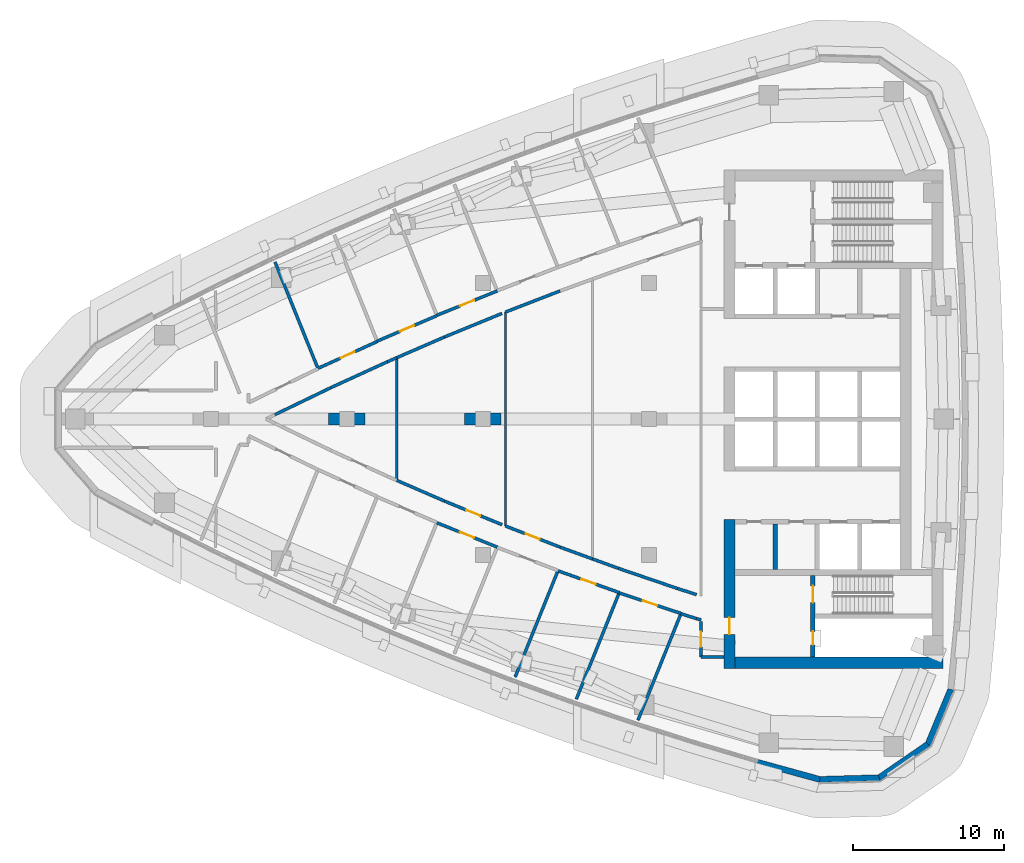
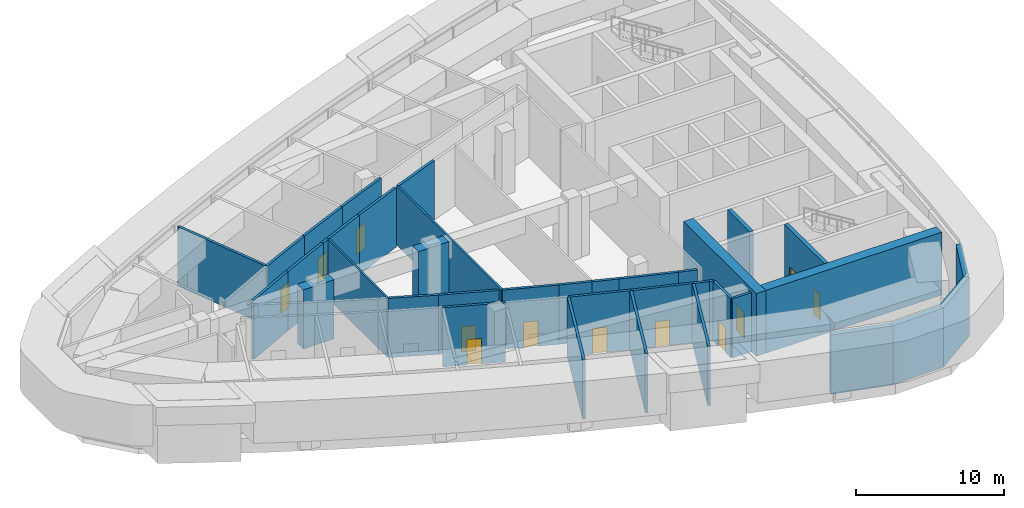
# One storey, part 10 of 17: 39 walls, 12 doors, 12 openings.
"""IFC4 building model written with IfcOpenShell, lengths in metres."""

from ifc_helpers import new_model, si_unit, direction, frame, frame_2d, origin, place, context, subcontext, project, spatial, polyline, rectangle, outline, extrude, material, layer, layer_set, type_object, element, fill, save


model = new_model("IFC4")

# Units and contexts
model_context = context("Model", 3, precision=1e-05, world=origin(), true_north=direction((0.0, 1.0)))
body_context = subcontext(model_context, "Body", "Model", "MODEL_VIEW")
ifc_project = project(units=[si_unit("LENGTHUNIT", "METRE"), si_unit("AREAUNIT", "SQUARE_METRE"), si_unit("VOLUMEUNIT", "CUBIC_METRE"), si_unit("PLANEANGLEUNIT", "RADIAN"), si_unit("MASSUNIT", "GRAM", prefix="KILO")], contexts=[model_context])

# Site, building, storey
site_placement = place(None, origin())
site = spatial("IfcSite", under=ifc_project, at=site_placement, CompositionType="ELEMENT")
building_placement = place(site_placement, origin())
building = spatial("IfcBuilding", under=site, at=building_placement, Name="Ostrand Prow Hotel Tower", CompositionType="ELEMENT")
storey_placement = place(building_placement, frame((0.0, 0.0, 211.0)))
storey = spatial("IfcBuildingStorey", under=building, at=storey_placement, Name="L53", CompositionType="ELEMENT", Elevation=211.0)

# Wall
ifc_material_1 = material(Name="Concrete C60/75", Category="concrete")
ifc_layer_1 = layer(ifc_material_1, 0.300048828125)
ifc_layer_set_1 = layer_set([ifc_layer_1], Name="Concrete C60/75")
wall_type_1 = type_object("IfcWallType", Name="Core wall 300 C60/75", PredefinedType="SHEAR", material=ifc_layer_set_1)
wall_1_placement = place(storey_placement, frame((53.35009765625, -9.949951171875, 0.0), z_axis=(0.0, 0.0, 1.0), x_axis=(0.0, 1.0, 0.0)))
element("IfcWall", 1, at=wall_1_placement, inside=storey, type_object=wall_type_1, Name="Core wall PW-R1-SA", PredefinedType="SHEAR", context=body_context, shape_type="SweptSolid", body=[
    extrude(rectangle(XDim=3.0, YDim=0.300048828125, at=frame_2d((1.5, 0.0))), origin(), (0.0, 0.0, 1.0), 5.199951171875),
])

# Wall, openings, doors
wall_2_placement = place(storey_placement, frame((55.85009765625, -15.75, 0.0), z_axis=(0.0, 0.0, 1.0), x_axis=(0.0, 1.0, 0.0)))
wall_2 = element("IfcWall", 2, at=wall_2_placement, inside=storey, type_object=wall_type_1, Name="Core wall PW-VS", PredefinedType="SHEAR", context=body_context, shape_type="SweptSolid", body=[
    extrude(rectangle(XDim=5.39990234375, YDim=0.300048828125, at=frame_2d((2.699951171875, 0.0))), origin(), (0.0, 0.0, 1.0), 5.199951171875),
])
opening_1_placement = place(wall_2_placement, frame((3.60009765625, 0.0, 0.0)))
opening_1 = element("IfcOpeningElement", 3, at=opening_1_placement, cuts=wall_2, Name="Opening FD1", PredefinedType="OPENING", context=body_context, shape_type="SweptSolid", body=[
    extrude(rectangle(XDim=1.10009765625, YDim=2.10009765625, at=frame_2d((0.550048828125, 1.050048828125))), frame((0.0, 0.159912109375, 0.0), z_axis=(0.0, -1.0, 0.0), x_axis=(1.0, 0.0, 0.0)), (0.0, 0.0, 1.0), 0.320068359375),
])
opening_2_placement = place(wall_2_placement, frame((0.800048828125, 0.0, 0.0)))
opening_2 = element("IfcOpeningElement", 4, at=opening_2_placement, cuts=wall_2, Name="Opening FD2", PredefinedType="OPENING", context=body_context, shape_type="SweptSolid", body=[
    extrude(rectangle(XDim=0.89990234375, YDim=2.10009765625, at=frame_2d((0.449951171875, 1.050048828125))), frame((0.0, 0.159912109375, 0.0), z_axis=(0.0, -1.0, 0.0), x_axis=(1.0, 0.0, 0.0)), (0.0, 0.0, 1.0), 0.320068359375),
])
ifc_material_2 = material(Name="Steel fire door", Category="steel")
door_type_1 = type_object("IfcDoorType", Name="Fire door 1100 EI120", OperationType="SINGLE_SWING_RIGHT", PredefinedType="DOOR", material=ifc_material_2)
door_1_placement = place(opening_1_placement, origin())
door_1 = element("IfcDoor", 5, at=door_1_placement, inside=storey, type_object=door_type_1, Name="FIRE DOOR", OperationType="SINGLE_SWING_RIGHT", OverallHeight=2.10009765625, OverallWidth=1.10009765625, PredefinedType="DOOR", context=body_context, shape_type="SweptSolid", body=[
    extrude(rectangle(XDim=1.10009765625, YDim=2.10009765625, at=frame_2d((0.550048828125, 1.050048828125))), frame((0.0, 0.02490234375, 0.0), z_axis=(0.0, -1.0, 0.0), x_axis=(1.0, 0.0, 0.0)), (0.0, 0.0, 1.0), 0.050048828125),
])
fill(opening_1, door_1)
ifc_material_3 = material(Name="Steel fire door", Category="steel")
door_type_2 = type_object("IfcDoorType", Name="Fire door 900 EI120", OperationType="SINGLE_SWING_LEFT", PredefinedType="DOOR", material=ifc_material_3)
door_2_placement = place(opening_2_placement, origin())
door_2 = element("IfcDoor", 6, at=door_2_placement, inside=storey, type_object=door_type_2, Name="FIRE DOOR", OperationType="SINGLE_SWING_LEFT", OverallHeight=2.10009765625, OverallWidth=0.89990234375, PredefinedType="DOOR", context=body_context, shape_type="SweptSolid", body=[
    extrude(rectangle(XDim=0.89990234375, YDim=2.10009765625, at=frame_2d((0.449951171875, 1.050048828125))), frame((0.0, 0.02490234375, 0.0), z_axis=(0.0, -1.0, 0.0), x_axis=(1.0, 0.0, 0.0)), (0.0, 0.0, 1.0), 0.050048828125),
])
fill(opening_2, door_2)

# Wall, opening, door
ifc_material_4 = material(Name="Concrete C60/75", Category="concrete")
ifc_layer_2 = layer(ifc_material_4, 0.75)
ifc_layer_set_2 = layer_set([ifc_layer_2], Name="Concrete C60/75")
wall_type_2 = type_object("IfcWallType", Name="Core wall 750 C60/75", PredefinedType="SHEAR", material=ifc_layer_set_2)
wall_3_placement = place(storey_placement, frame((50.324951171875, -16.5, 0.0), z_axis=(0.0, 0.0, 1.0), x_axis=(0.0, 1.0, 0.0)))
wall_3 = element("IfcWall", 7, at=wall_3_placement, inside=storey, type_object=wall_type_2, Name="Core wall CW-W-S", PredefinedType="SHEAR", context=body_context, shape_type="SweptSolid", body=[
    extrude(rectangle(XDim=9.85009765625, YDim=0.75, at=frame_2d((4.925048828125, 0.0))), origin(), (0.0, 0.0, 1.0), 5.199951171875),
])
opening_3_placement = place(wall_3_placement, frame((2.25, 0.0, 0.0)))
opening_3 = element("IfcOpeningElement", 8, at=opening_3_placement, cuts=wall_3, Name="Opening FD1", PredefinedType="OPENING", context=body_context, shape_type="SweptSolid", body=[
    extrude(rectangle(XDim=1.10009765625, YDim=2.10009765625, at=frame_2d((0.550048828125, 1.050048828125))), frame((0.0, 0.385009765625, 0.0), z_axis=(0.0, -1.0, 0.0), x_axis=(1.0, 0.0, 0.0)), (0.0, 0.0, 1.0), 0.77001953125),
])
door_3_placement = place(opening_3_placement, origin())
door_3 = element("IfcDoor", 9, at=door_3_placement, inside=storey, type_object=door_type_1, Name="FIRE DOOR", OperationType="SINGLE_SWING_RIGHT", OverallHeight=2.10009765625, OverallWidth=1.10009765625, PredefinedType="DOOR", context=body_context, shape_type="SweptSolid", body=[
    extrude(rectangle(XDim=1.10009765625, YDim=2.10009765625, at=frame_2d((0.550048828125, 1.050048828125))), frame((0.0, 0.02490234375, 0.0), z_axis=(0.0, -1.0, 0.0), x_axis=(1.0, 0.0, 0.0)), (0.0, 0.0, 1.0), 0.050048828125),
])
fill(opening_3, door_3)

# Walls
wall_4_placement = place(storey_placement, frame((50.699951171875, -16.125, 0.0), z_axis=(0.0, 0.0, 1.0), x_axis=(1.0, 0.0, 0.0)))
element("IfcWall", 10, at=wall_4_placement, inside=storey, type_object=wall_type_2, Name="Core wall CW-S", PredefinedType="SHEAR", context=body_context, shape_type="SweptSolid", body=[
    extrude(rectangle(XDim=13.77001953125, YDim=0.75, at=frame_2d((6.885009765625, 0.0))), origin(), (0.0, 0.0, 1.0), 5.199951171875),
])
ifc_material_5 = material(Name="Concrete C60/75", Category="concrete")
ifc_layer_3 = layer(ifc_material_5, 0.800048828125)
ifc_layer_set_3 = layer_set([ifc_layer_3], Name="Concrete C60/75")
wall_type_3 = type_object("IfcWallType", Name="Outrigger wall 800 C60/75", PredefinedType="SHEAR", material=ifc_layer_set_3)
for number, where, z_axis, x_axis, name in (
    (11, (23.800048828125, 0.0, 0.0), (0.0, 0.0, 1.0), (1.0, 0.0, 0.0), "Outrigger wall A3"),
    (12, (32.800048828125, 0.0, 0.0), (0.0, 0.0, 1.0), (1.0, 0.0, 0.0), "Outrigger wall A4"),
):
    element("IfcWall", number, at=place(storey_placement, frame(where, z_axis=z_axis, x_axis=x_axis)), inside=storey, type_object=wall_type_3, Name=name, PredefinedType="SHEAR", context=body_context, shape_type="SweptSolid", body=[
        extrude(rectangle(XDim=2.39990234375, YDim=0.800048828125, at=frame_2d((1.199951171875, 0.0))), origin(), (0.0, 0.0, 1.0), 4.89990234375),
    ])
ifc_material_6 = material(Name="Plasterboard partition")
ifc_layer_4 = layer(ifc_material_6, 0.14990234375)
ifc_layer_set_4 = layer_set([ifc_layer_4], Name="Plasterboard partition")
wall_type_4 = type_object("IfcWallType", Name="Partition 150 room partition", PredefinedType="PARTITIONING", material=ifc_layer_set_4)
wall_5_placement = place(storey_placement, frame((28.302490234375, -4.059326171875, 0.0), z_axis=(0.0, 0.0, 1.0), x_axis=(0.0, 1.0, 0.0)))
element("IfcWall", 13, at=wall_5_placement, inside=storey, type_object=wall_type_4, Name="ROOM PARTITION", PredefinedType="PARTITIONING", context=body_context, shape_type="SweptSolid", body=[
    extrude(rectangle(XDim=8.11865234375, YDim=0.14990234375, at=frame_2d((4.059326171875, 0.0))), origin(), (0.0, 0.0, 1.0), 4.89990234375),
])
wall_6_placement = place(storey_placement, frame((35.498046875, -7.080322265625, 0.0), z_axis=(0.0, 0.0, 1.0), x_axis=(0.0, 1.0, 0.0)))
element("IfcWall", 14, at=wall_6_placement, inside=storey, type_object=wall_type_4, Name="ROOM PARTITION", PredefinedType="PARTITIONING", context=body_context, shape_type="SweptSolid", body=[
    extrude(rectangle(XDim=14.16064453125, YDim=0.14990234375, at=frame_2d((7.080322265625, 0.0))), origin(), (0.0, 0.0, 1.0), 4.89990234375),
])

# Wall, opening, door
ifc_material_7 = material(Name="Plasterboard partition")
ifc_layer_5 = layer(ifc_material_7, 0.199951171875)
ifc_layer_set_5 = layer_set([ifc_layer_5], Name="Plasterboard partition")
wall_type_5 = type_object("IfcWallType", Name="Partition 200 corridor wall", PredefinedType="PARTITIONING", material=ifc_layer_set_5)
wall_7_placement = place(storey_placement, frame((23.084716796875, 3.35107421875, 0.0), z_axis=(0.0, 0.0, 1.0), x_axis=(0.910651275081, 0.413175816322, 0.0)))
wall_7 = element("IfcWall", 15, at=wall_7_placement, inside=storey, type_object=wall_type_5, Name="CORRIDOR WALL", PredefinedType="PARTITIONING", context=body_context, shape_type="SweptSolid", body=[
    extrude(rectangle(XDim=4.312255859375, YDim=0.199951171875, at=frame_2d((2.15625, 0.0))), origin(), (0.0, 0.0, 1.0), 4.89990234375),
])
opening_4_placement = place(wall_7_placement, frame((1.656005859375, 0.0, 0.0)))
opening_4 = element("IfcOpeningElement", 16, at=opening_4_placement, cuts=wall_7, Name="Opening D1R", PredefinedType="OPENING", context=body_context, shape_type="SweptSolid", body=[
    extrude(rectangle(XDim=1.0, YDim=2.10009765625, at=frame_2d((0.5, 1.050048828125))), frame((0.0, 0.10986328125, 0.0), z_axis=(0.0, -1.0, 0.0), x_axis=(1.0, 0.0, 0.0)), (0.0, 0.0, 1.0), 0.219970703125),
])
ifc_material_8 = material(Name="Timber door leaf", Category="wood")
door_type_3 = type_object("IfcDoorType", Name="Guest room door 1000 right", OperationType="SINGLE_SWING_RIGHT", PredefinedType="DOOR", material=ifc_material_8)
door_4_placement = place(opening_4_placement, origin())
door_4 = element("IfcDoor", 17, at=door_4_placement, inside=storey, type_object=door_type_3, Name="DOOR", OperationType="SINGLE_SWING_RIGHT", OverallHeight=2.10009765625, OverallWidth=1.0, PredefinedType="DOOR", context=body_context, shape_type="SweptSolid", body=[
    extrude(rectangle(XDim=1.0, YDim=2.10009765625, at=frame_2d((0.5, 1.050048828125))), frame((0.0, 0.02490234375, 0.0), z_axis=(0.0, -1.0, 0.0), x_axis=(1.0, 0.0, 0.0)), (0.0, 0.0, 1.0), 0.050048828125),
])
fill(opening_4, door_4)

wall_8_placement = place(storey_placement, frame((27.004150390625, 5.1513671875, 0.0), z_axis=(0.0, 0.0, 1.0), x_axis=(0.919259282109, 0.393652603519, 0.0)))
wall_8 = element("IfcWall", 18, at=wall_8_placement, inside=storey, type_object=wall_type_5, Name="CORRIDOR WALL", PredefinedType="PARTITIONING", context=body_context, shape_type="SweptSolid", body=[
    extrude(rectangle(XDim=4.30908203125, YDim=0.199951171875, at=frame_2d((2.154541015625, 0.0))), origin(), (0.0, 0.0, 1.0), 4.89990234375),
])
opening_5_placement = place(wall_8_placement, frame((1.654541015625, 0.0, 0.0)))
opening_5 = element("IfcOpeningElement", 19, at=opening_5_placement, cuts=wall_8, Name="Opening D1", PredefinedType="OPENING", context=body_context, shape_type="SweptSolid", body=[
    extrude(rectangle(XDim=1.0, YDim=2.10009765625, at=frame_2d((0.5, 1.050048828125))), frame((0.0, 0.10986328125, 0.0), z_axis=(0.0, -1.0, 0.0), x_axis=(1.0, 0.0, 0.0)), (0.0, 0.0, 1.0), 0.219970703125),
])
ifc_material_9 = material(Name="Timber door leaf", Category="wood")
door_type_4 = type_object("IfcDoorType", Name="Guest room door 1000", OperationType="SINGLE_SWING_LEFT", PredefinedType="DOOR", material=ifc_material_9)
door_5_placement = place(opening_5_placement, origin())
door_5 = element("IfcDoor", 20, at=door_5_placement, inside=storey, type_object=door_type_4, Name="DOOR", OperationType="SINGLE_SWING_LEFT", OverallHeight=2.10009765625, OverallWidth=1.0, PredefinedType="DOOR", context=body_context, shape_type="SweptSolid", body=[
    extrude(rectangle(XDim=1.0, YDim=2.10009765625, at=frame_2d((0.5, 1.050048828125))), frame((0.0, 0.02490234375, 0.0), z_axis=(0.0, -1.0, 0.0), x_axis=(1.0, 0.0, 0.0)), (0.0, 0.0, 1.0), 0.050048828125),
])
fill(opening_5, door_5)

wall_9_placement = place(storey_placement, frame((30.9580078125, 6.8662109375, 0.0), z_axis=(0.0, 0.0, 1.0), x_axis=(0.927398695046, 0.374074404933, 0.0)))
wall_9 = element("IfcWall", 21, at=wall_9_placement, inside=storey, type_object=wall_type_5, Name="CORRIDOR WALL", PredefinedType="PARTITIONING", context=body_context, shape_type="SweptSolid", body=[
    extrude(rectangle(XDim=4.310791015625, YDim=0.199951171875, at=frame_2d((2.1552734375, 0.0))), origin(), (0.0, 0.0, 1.0), 4.89990234375),
])
opening_6_placement = place(wall_9_placement, frame((1.655517578125, 0.0, 0.0)))
opening_6 = element("IfcOpeningElement", 22, at=opening_6_placement, cuts=wall_9, Name="Opening D1R", PredefinedType="OPENING", context=body_context, shape_type="SweptSolid", body=[
    extrude(rectangle(XDim=1.0, YDim=2.10009765625, at=frame_2d((0.5, 1.050048828125))), frame((0.0, 0.10986328125, 0.0), z_axis=(0.0, -1.0, 0.0), x_axis=(1.0, 0.0, 0.0)), (0.0, 0.0, 1.0), 0.219970703125),
])
door_6_placement = place(opening_6_placement, origin())
door_6 = element("IfcDoor", 23, at=door_6_placement, inside=storey, type_object=door_type_3, Name="DOOR", OperationType="SINGLE_SWING_RIGHT", OverallHeight=2.10009765625, OverallWidth=1.0, PredefinedType="DOOR", context=body_context, shape_type="SweptSolid", body=[
    extrude(rectangle(XDim=1.0, YDim=2.10009765625, at=frame_2d((0.5, 1.050048828125))), frame((0.0, 0.02490234375, 0.0), z_axis=(0.0, -1.0, 0.0), x_axis=(1.0, 0.0, 0.0)), (0.0, 0.0, 1.0), 0.050048828125),
])
fill(opening_6, door_6)

wall_10_placement = place(storey_placement, frame((30.9580078125, -6.8662109375, 0.0), z_axis=(0.0, 0.0, 1.0), x_axis=(0.927398695046, -0.374074404933, 0.0)))
wall_10 = element("IfcWall", 24, at=wall_10_placement, inside=storey, type_object=wall_type_5, Name="CORRIDOR WALL", PredefinedType="PARTITIONING", context=body_context, shape_type="SweptSolid", body=[
    extrude(rectangle(XDim=4.310791015625, YDim=0.199951171875, at=frame_2d((2.1552734375, 0.0))), origin(), (0.0, 0.0, 1.0), 4.89990234375),
])
opening_7_placement = place(wall_10_placement, frame((1.655517578125, 0.0, 0.0)))
opening_7 = element("IfcOpeningElement", 25, at=opening_7_placement, cuts=wall_10, Name="Opening D1R", PredefinedType="OPENING", context=body_context, shape_type="SweptSolid", body=[
    extrude(rectangle(XDim=1.0, YDim=2.10009765625, at=frame_2d((0.5, 1.050048828125))), frame((0.0, 0.10986328125, 0.0), z_axis=(0.0, -1.0, 0.0), x_axis=(1.0, 0.0, 0.0)), (0.0, 0.0, 1.0), 0.219970703125),
])
door_7_placement = place(opening_7_placement, origin())
door_7 = element("IfcDoor", 26, at=door_7_placement, inside=storey, type_object=door_type_3, Name="DOOR", OperationType="SINGLE_SWING_RIGHT", OverallHeight=2.10009765625, OverallWidth=1.0, PredefinedType="DOOR", context=body_context, shape_type="SweptSolid", body=[
    extrude(rectangle(XDim=1.0, YDim=2.10009765625, at=frame_2d((0.5, 1.050048828125))), frame((0.0, 0.02490234375, 0.0), z_axis=(0.0, -1.0, 0.0), x_axis=(1.0, 0.0, 0.0)), (0.0, 0.0, 1.0), 0.050048828125),
])
fill(opening_7, door_7)

wall_11_placement = place(storey_placement, frame((38.972412109375, -10.044921875, 0.0), z_axis=(0.0, 0.0, 1.0), x_axis=(0.942220252757, -0.334994022773, 0.0)))
wall_11 = element("IfcWall", 27, at=wall_11_placement, inside=storey, type_object=wall_type_5, Name="CORRIDOR WALL", PredefinedType="PARTITIONING", context=body_context, shape_type="SweptSolid", body=[
    extrude(rectangle(XDim=4.31005859375, YDim=0.199951171875, at=frame_2d((2.155029296875, 0.0))), origin(), (0.0, 0.0, 1.0), 4.89990234375),
])
opening_8_placement = place(wall_11_placement, frame((1.655029296875, 0.0, 0.0)))
opening_8 = element("IfcOpeningElement", 28, at=opening_8_placement, cuts=wall_11, Name="Opening D1R", PredefinedType="OPENING", context=body_context, shape_type="SweptSolid", body=[
    extrude(rectangle(XDim=1.0, YDim=2.10009765625, at=frame_2d((0.5, 1.050048828125))), frame((0.0, 0.10986328125, 0.0), z_axis=(0.0, -1.0, 0.0), x_axis=(1.0, 0.0, 0.0)), (0.0, 0.0, 1.0), 0.219970703125),
])
door_8_placement = place(opening_8_placement, origin())
door_8 = element("IfcDoor", 29, at=door_8_placement, inside=storey, type_object=door_type_3, Name="DOOR", OperationType="SINGLE_SWING_RIGHT", OverallHeight=2.10009765625, OverallWidth=1.0, PredefinedType="DOOR", context=body_context, shape_type="SweptSolid", body=[
    extrude(rectangle(XDim=1.0, YDim=2.10009765625, at=frame_2d((0.5, 1.050048828125))), frame((0.0, 0.02490234375, 0.0), z_axis=(0.0, -1.0, 0.0), x_axis=(1.0, 0.0, 0.0)), (0.0, 0.0, 1.0), 0.050048828125),
])
fill(opening_8, door_8)

wall_12_placement = place(storey_placement, frame((43.02587890625, -11.50732421875, 0.0), z_axis=(0.0, 0.0, 1.0), x_axis=(0.949022233489, -0.315209137469, 0.0)))
wall_12 = element("IfcWall", 30, at=wall_12_placement, inside=storey, type_object=wall_type_5, Name="CORRIDOR WALL", PredefinedType="PARTITIONING", context=body_context, shape_type="SweptSolid", body=[
    extrude(rectangle(XDim=4.31494140625, YDim=0.199951171875, at=frame_2d((2.157470703125, 0.0))), origin(), (0.0, 0.0, 1.0), 4.89990234375),
])
opening_9_placement = place(wall_12_placement, frame((1.657470703125, 0.0, 0.0)))
opening_9 = element("IfcOpeningElement", 31, at=opening_9_placement, cuts=wall_12, Name="Opening D1", PredefinedType="OPENING", context=body_context, shape_type="SweptSolid", body=[
    extrude(rectangle(XDim=1.0, YDim=2.10009765625, at=frame_2d((0.5, 1.050048828125))), frame((0.0, 0.10986328125, 0.0), z_axis=(0.0, -1.0, 0.0), x_axis=(1.0, 0.0, 0.0)), (0.0, 0.0, 1.0), 0.219970703125),
])
door_9_placement = place(opening_9_placement, origin())
door_9 = element("IfcDoor", 32, at=door_9_placement, inside=storey, type_object=door_type_4, Name="DOOR", OperationType="SINGLE_SWING_LEFT", OverallHeight=2.10009765625, OverallWidth=1.0, PredefinedType="DOOR", context=body_context, shape_type="SweptSolid", body=[
    extrude(rectangle(XDim=1.0, YDim=2.10009765625, at=frame_2d((0.5, 1.050048828125))), frame((0.0, 0.02490234375, 0.0), z_axis=(0.0, -1.0, 0.0), x_axis=(1.0, 0.0, 0.0)), (0.0, 0.0, 1.0), 0.050048828125),
])
fill(opening_9, door_9)

# Walls
wall_13_placement = place(storey_placement, frame((20.23876953125, 0.289794921875, 0.0), z_axis=(0.0, 0.0, 1.0), x_axis=(0.900613273517, 0.434621365748, 0.0)))
element("IfcWall", 33, at=wall_13_placement, inside=storey, type_object=wall_type_5, Name="CORRIDOR WALL", PredefinedType="PARTITIONING", context=body_context, shape_type="SweptSolid", body=[
    extrude(rectangle(XDim=4.116943359375, YDim=0.199951171875, at=frame_2d((2.05859375, 0.0))), origin(), (0.0, 0.0, 1.0), 4.89990234375),
])
wall_14_placement = place(storey_placement, frame((23.946533203125, 2.0791015625, 0.0), z_axis=(0.0, 0.0, 1.0), x_axis=(0.909180834404, 0.416401501382, 0.0)))
element("IfcWall", 34, at=wall_14_placement, inside=storey, type_object=wall_type_5, Name="CORRIDOR WALL", PredefinedType="PARTITIONING", context=body_context, shape_type="SweptSolid", body=[
    extrude(rectangle(XDim=4.1171875, YDim=0.199951171875, at=frame_2d((2.05859375, 0.0))), origin(), (0.0, 0.0, 1.0), 4.89990234375),
])
wall_15_placement = place(storey_placement, frame((27.689697265625, 3.79345703125, 0.0), z_axis=(0.0, 0.0, 1.0), x_axis=(0.917377746536, 0.398017675688, 0.0)))
element("IfcWall", 35, at=wall_15_placement, inside=storey, type_object=wall_type_5, Name="CORRIDOR WALL", PredefinedType="PARTITIONING", context=body_context, shape_type="SweptSolid", body=[
    extrude(rectangle(XDim=0.66796875, YDim=0.199951171875, at=frame_2d((0.333984375, 0.0))), origin(), (0.0, 0.0, 1.0), 4.89990234375),
])

# Wall, opening, door
wall_16_placement = place(storey_placement, frame((35.275634765625, -6.994384765625, 0.0), z_axis=(0.0, 0.0, 1.0), x_axis=(-0.92520652337, 0.379463949689, 0.0)))
wall_16 = element("IfcWall", 36, at=wall_16_placement, inside=storey, type_object=wall_type_5, Name="CORRIDOR WALL", PredefinedType="PARTITIONING", context=body_context, shape_type="SweptSolid", body=[
    extrude(rectangle(XDim=4.116943359375, YDim=0.199951171875, at=frame_2d((2.05859375, 0.0))), origin(), (0.0, 0.0, 1.0), 4.89990234375),
])
opening_10_placement = place(wall_16_placement, frame((1.55859375, 0.0, 0.0)))
opening_10 = element("IfcOpeningElement", 37, at=opening_10_placement, cuts=wall_16, Name="Opening D1R", PredefinedType="OPENING", context=body_context, shape_type="SweptSolid", body=[
    extrude(rectangle(XDim=1.0, YDim=2.10009765625, at=frame_2d((0.5, 1.050048828125))), frame((0.0, 0.10986328125, 0.0), z_axis=(0.0, -1.0, 0.0), x_axis=(1.0, 0.0, 0.0)), (0.0, 0.0, 1.0), 0.219970703125),
])
door_10_placement = place(opening_10_placement, origin())
door_10 = element("IfcDoor", 38, at=door_10_placement, inside=storey, type_object=door_type_3, Name="DOOR", OperationType="SINGLE_SWING_RIGHT", OverallHeight=2.10009765625, OverallWidth=1.0, PredefinedType="DOOR", context=body_context, shape_type="SweptSolid", body=[
    extrude(rectangle(XDim=1.0, YDim=2.10009765625, at=frame_2d((0.5, 1.050048828125))), frame((0.0, 0.02490234375, 0.0), z_axis=(0.0, -1.0, 0.0), x_axis=(1.0, 0.0, 0.0)), (0.0, 0.0, 1.0), 0.050048828125),
])
fill(opening_10, door_10)

# Walls
for number, where, z_axis, x_axis, name in (
    (39, (31.466552734375, -5.43212890625, 0.0), (0.0, 0.0, 1.0), (-0.917374760326, 0.398024558435, 0.0), "CORRIDOR WALL"),
    (40, (28.302490234375, 4.059326171875, 0.0), (0.0, 0.0, 1.0), (0.917374760326, 0.398024558435, 0.0), "CORRIDOR WALL"),
):
    element("IfcWall", number, at=place(storey_placement, frame(where, z_axis=z_axis, x_axis=x_axis)), inside=storey, type_object=wall_type_5, Name=name, PredefinedType="PARTITIONING", context=body_context, shape_type="SweptSolid", body=[
        extrude(rectangle(XDim=3.448974609375, YDim=0.199951171875, at=frame_2d((1.724609375, 0.0))), origin(), (0.0, 0.0, 1.0), 4.89990234375),
    ])
wall_17_placement = place(storey_placement, frame((31.466552734375, 5.43212890625, 0.0), z_axis=(0.0, 0.0, 1.0), x_axis=(0.92520652337, 0.379463949689, 0.0)))
element("IfcWall", 41, at=wall_17_placement, inside=storey, type_object=wall_type_5, Name="CORRIDOR WALL", PredefinedType="PARTITIONING", context=body_context, shape_type="SweptSolid", body=[
    extrude(rectangle(XDim=4.116943359375, YDim=0.199951171875, at=frame_2d((2.05859375, 0.0))), origin(), (0.0, 0.0, 1.0), 4.89990234375),
])

# Wall, opening, door
wall_18_placement = place(storey_placement, frame((39.115478515625, -8.4794921875, 0.0), z_axis=(0.0, 0.0, 1.0), x_axis=(-0.932665814989, 0.360741566154, 0.0)))
wall_18 = element("IfcWall", 42, at=wall_18_placement, inside=storey, type_object=wall_type_5, Name="CORRIDOR WALL", PredefinedType="PARTITIONING", context=body_context, shape_type="SweptSolid", body=[
    extrude(rectangle(XDim=3.878662109375, YDim=0.199951171875, at=frame_2d((1.939453125, 0.0))), origin(), (0.0, 0.0, 1.0), 4.89990234375),
])
opening_11_placement = place(wall_18_placement, frame((1.439208984375, 0.0, 0.0)))
opening_11 = element("IfcOpeningElement", 43, at=opening_11_placement, cuts=wall_18, Name="Opening D1", PredefinedType="OPENING", context=body_context, shape_type="SweptSolid", body=[
    extrude(rectangle(XDim=1.0, YDim=2.10009765625, at=frame_2d((0.5, 1.050048828125))), frame((0.0, 0.10986328125, 0.0), z_axis=(0.0, -1.0, 0.0), x_axis=(1.0, 0.0, 0.0)), (0.0, 0.0, 1.0), 0.219970703125),
])
door_11_placement = place(opening_11_placement, origin())
door_11 = element("IfcDoor", 44, at=door_11_placement, inside=storey, type_object=door_type_4, Name="DOOR", OperationType="SINGLE_SWING_LEFT", OverallHeight=2.10009765625, OverallWidth=1.0, PredefinedType="DOOR", context=body_context, shape_type="SweptSolid", body=[
    extrude(rectangle(XDim=1.0, YDim=2.10009765625, at=frame_2d((0.5, 1.050048828125))), frame((0.0, 0.02490234375, 0.0), z_axis=(0.0, -1.0, 0.0), x_axis=(1.0, 0.0, 0.0)), (0.0, 0.0, 1.0), 0.050048828125),
])
fill(opening_11, door_11)

# Walls
wall_19_placement = place(storey_placement, frame((41.25439453125, -9.2578125, 0.0), z_axis=(0.0, 0.0, 1.0), x_axis=(-0.939718239397, 0.341949748567, 0.0)))
element("IfcWall", 45, at=wall_19_placement, inside=storey, type_object=wall_type_5, Name="CORRIDOR WALL", PredefinedType="PARTITIONING", context=body_context, shape_type="SweptSolid", body=[
    extrude(rectangle(XDim=2.276123046875, YDim=0.199951171875, at=frame_2d((1.13818359375, 0.0))), origin(), (0.0, 0.0, 1.0), 4.89990234375),
])
wall_20_placement = place(storey_placement, frame((35.498046875, 7.080322265625, 0.0), z_axis=(0.0, 0.0, 1.0), x_axis=(0.932665814989, 0.360741566154, 0.0)))
element("IfcWall", 46, at=wall_20_placement, inside=storey, type_object=wall_type_5, Name="CORRIDOR WALL", PredefinedType="PARTITIONING", context=body_context, shape_type="SweptSolid", body=[
    extrude(rectangle(XDim=3.878662109375, YDim=0.199951171875, at=frame_2d((1.939453125, 0.0))), origin(), (0.0, 0.0, 1.0), 4.89990234375),
])
wall_21_placement = place(storey_placement, frame((46.880859375, -11.216552734375, 0.0), z_axis=(0.0, 0.0, 1.0), x_axis=(-0.946436071896, 0.322891253852, 0.0)))
element("IfcWall", 47, at=wall_21_placement, inside=storey, type_object=wall_type_5, Name="CORRIDOR WALL", PredefinedType="PARTITIONING", context=body_context, shape_type="SweptSolid", body=[
    extrude(rectangle(XDim=4.116943359375, YDim=0.199951171875, at=frame_2d((2.05859375, 0.0))), origin(), (0.0, 0.0, 1.0), 4.89990234375),
])
wall_22_placement = place(storey_placement, frame((42.984375, -9.88720703125, 0.0), z_axis=(0.0, 0.0, 1.0), x_axis=(-0.939739202383, 0.341892134313, 0.0)))
element("IfcWall", 48, at=wall_22_placement, inside=storey, type_object=wall_type_5, Name="CORRIDOR WALL", PredefinedType="PARTITIONING", context=body_context, shape_type="SweptSolid", body=[
    extrude(rectangle(XDim=1.8408203125, YDim=0.199951171875, at=frame_2d((0.92041015625, 0.0))), origin(), (0.0, 0.0, 1.0), 4.89990234375),
])
wall_23_placement = place(storey_placement, frame((47.11328125, -12.885986328125, 0.0), z_axis=(0.0, 0.0, 1.0), x_axis=(0.952731090451, -0.303814860215, 0.0)))
element("IfcWall", 49, at=wall_23_placement, inside=storey, type_object=wall_type_5, Name="CORRIDOR WALL", PredefinedType="PARTITIONING", context=body_context, shape_type="SweptSolid", body=[
    extrude(rectangle(XDim=1.088134765625, YDim=0.199951171875, at=frame_2d((0.5439453125, 0.0))), origin(), (0.0, 0.0, 1.0), 4.89990234375),
])
wall_24_placement = place(storey_placement, frame((48.14990234375, -11.62109375, 0.0), z_axis=(0.0, 0.0, 1.0), x_axis=(-0.952761948983, 0.303718074157, 0.0)))
element("IfcWall", 50, at=wall_24_placement, inside=storey, type_object=wall_type_5, Name="CORRIDOR WALL", PredefinedType="PARTITIONING", context=body_context, shape_type="SweptSolid", body=[
    extrude(rectangle(XDim=1.33203125, YDim=0.199951171875, at=frame_2d((0.666015625, 0.0))), origin(), (0.0, 0.0, 1.0), 4.89990234375),
])
wall_25_placement = place(storey_placement, frame((48.14990234375, -13.216552734375, 0.0), z_axis=(0.0, 0.0, 1.0), x_axis=(0.966716682119, -0.255849284763, 0.0)))
element("IfcWall", 51, at=wall_25_placement, inside=storey, type_object=wall_type_5, Name="CORRIDOR WALL", PredefinedType="PARTITIONING", context=body_context, shape_type="SweptSolid", body=[
    extrude(rectangle(XDim=0.31005859375, YDim=0.199951171875, at=frame_2d((0.155029296875, 0.0))), origin(), (0.0, 0.0, 1.0), 4.89990234375),
])

# Wall, opening, door
wall_26_placement = place(storey_placement, frame((48.445068359375, -13.414794921875, 0.0), z_axis=(0.0, 0.0, 1.0), x_axis=(0.000313283193, -0.999999950927, 0.0)))
wall_26 = element("IfcWall", 52, at=wall_26_placement, inside=storey, type_object=wall_type_5, Name="CORRIDOR WALL", PredefinedType="PARTITIONING", context=body_context, shape_type="SweptSolid", body=[
    extrude(rectangle(XDim=2.337890625, YDim=0.199951171875, at=frame_2d((1.1689453125, 0.0))), origin(), (0.0, 0.0, 1.0), 4.89990234375),
])
opening_12_placement = place(wall_26_placement, frame((0.6689453125, 0.0, 0.0)))
opening_12 = element("IfcOpeningElement", 53, at=opening_12_placement, cuts=wall_26, Name="Opening D1R", PredefinedType="OPENING", context=body_context, shape_type="SweptSolid", body=[
    extrude(rectangle(XDim=1.0, YDim=2.10009765625, at=frame_2d((0.5, 1.050048828125))), frame((0.0, 0.10986328125, 0.0), z_axis=(0.0, -1.0, 0.0), x_axis=(1.0, 0.0, 0.0)), (0.0, 0.0, 1.0), 0.219970703125),
])
door_12_placement = place(opening_12_placement, origin())
door_12 = element("IfcDoor", 54, at=door_12_placement, inside=storey, type_object=door_type_3, Name="DOOR", OperationType="SINGLE_SWING_RIGHT", OverallHeight=2.10009765625, OverallWidth=1.0, PredefinedType="DOOR", context=body_context, shape_type="SweptSolid", body=[
    extrude(rectangle(XDim=1.0, YDim=2.10009765625, at=frame_2d((0.5, 1.050048828125))), frame((0.0, 0.02490234375, 0.0), z_axis=(0.0, -1.0, 0.0), x_axis=(1.0, 0.0, 0.0)), (0.0, 0.0, 1.0), 0.050048828125),
])
fill(opening_12, door_12)

# Walls
wall_27_placement = place(storey_placement, frame((48.44580078125, -15.752685546875, 0.0), z_axis=(0.0, 0.0, 1.0), x_axis=(0.999998933031, -0.001460800259, 0.0)))
element("IfcWall", 55, at=wall_27_placement, inside=storey, type_object=wall_type_5, Name="CORRIDOR WALL", PredefinedType="PARTITIONING", context=body_context, shape_type="SweptSolid", body=[
    extrude(rectangle(XDim=1.504150390625, YDim=0.199951171875, at=frame_2d((0.751953125, 0.0))), origin(), (0.0, 0.0, 1.0), 4.89990234375),
])
ifc_material_10 = material(Name="Plasterboard partition")
ifc_layer_6 = layer(ifc_material_10, 0.199951171875)
ifc_layer_set_6 = layer_set([ifc_layer_6], Name="Plasterboard partition")
wall_type_6 = type_object("IfcWallType", Name="Partition 200 key partition", PredefinedType="PARTITIONING", material=ifc_layer_set_6)
wall_28_placement = place(storey_placement, frame((23.09228515625, 3.33251953125, 0.0), z_axis=(0.0, 0.0, 1.0), x_axis=(-0.373894034942, 0.927471428473, 0.0)))
element("IfcWall", 56, at=wall_28_placement, inside=storey, type_object=wall_type_6, Name="KEY PARTITION", PredefinedType="PARTITIONING", context=body_context, shape_type="SweptSolid", body=[
    extrude(rectangle(XDim=7.613037109375, YDim=0.199951171875, at=frame_2d((3.806640625, 0.0))), origin(), (0.0, 0.0, 1.0), 4.89990234375),
])
wall_29_placement = place(storey_placement, frame((36.13671875, -17.079345703125, 0.0), z_axis=(0.0, 0.0, 1.0), x_axis=(0.373863662938, 0.927483671843, 0.0)))
element("IfcWall", 57, at=wall_29_placement, inside=storey, type_object=wall_type_6, Name="KEY PARTITION", PredefinedType="PARTITIONING", context=body_context, shape_type="SweptSolid", body=[
    extrude(rectangle(XDim=7.6044921875, YDim=0.199951171875, at=frame_2d((3.80224609375, 0.0))), origin(), (0.0, 0.0, 1.0), 4.89990234375),
])
wall_30_placement = place(storey_placement, frame((40.187744140625, -18.548095703125, 0.0), z_axis=(0.0, 0.0, 1.0), x_axis=(0.373877998371, 0.927477893178, 0.0)))
element("IfcWall", 58, at=wall_30_placement, inside=storey, type_object=wall_type_6, Name="KEY PARTITION", PredefinedType="PARTITIONING", context=body_context, shape_type="SweptSolid", body=[
    extrude(rectangle(XDim=7.611328125, YDim=0.199951171875, at=frame_2d((3.8056640625, 0.0))), origin(), (0.0, 0.0, 1.0), 4.89990234375),
])
wall_31_placement = place(storey_placement, frame((44.271240234375, -19.935791015625, 0.0), z_axis=(0.0, 0.0, 1.0), x_axis=(0.373907892596, 0.92746584188, 0.0)))
element("IfcWall", 59, at=wall_31_placement, inside=storey, type_object=wall_type_6, Name="KEY PARTITION", PredefinedType="PARTITIONING", context=body_context, shape_type="SweptSolid", body=[
    extrude(rectangle(XDim=7.62109375, YDim=0.199951171875, at=frame_2d((3.810546875, 0.0))), origin(), (0.0, 0.0, 1.0), 4.89990234375),
])
ifc_material_11 = material(Name="Precast concrete C40/50", Category="concrete")
ifc_layer_7 = layer(ifc_material_11, 0.39990234375)
ifc_layer_set_7 = layer_set([ifc_layer_7], Name="Precast concrete C40/50")
wall_type_7 = type_object("IfcWallType", Name="Stone-faced precast wall 400 mm", PredefinedType="NOTDEFINED", material=ifc_layer_set_7)
wall_32_placement = place(storey_placement, frame((52.15478515625, -22.7158203125, 0.0), z_axis=(0.0, 0.0, 1.0), x_axis=(0.964205755089, -0.265155165617, 0.0)))
element("IfcWall", 60, at=wall_32_placement, inside=storey, type_object=wall_type_7, Name="Stone-faced wall back 1", PredefinedType="NOTDEFINED", context=body_context, shape_type="SweptSolid", body=[
    extrude(outline(polyline([(0.0, -0.199951171875), (4.3369140625, -0.199951171875), (4.27734375, 0.199951171875), (0.0, 0.199951171875), (0.0, -0.199951171875)])), origin(), (0.0, 0.0, 1.0), 4.89990234375),
])
wall_33_placement = place(storey_placement, frame((56.307861328125, -23.85791015625, 0.0), z_axis=(0.0, 0.0, 1.0), x_axis=(0.999587920197, 0.028705222472, 0.0)))
element("IfcWall", 61, at=wall_33_placement, inside=storey, type_object=wall_type_7, Name="Stone-faced wall back 2", PredefinedType="NOTDEFINED", context=body_context, shape_type="SweptSolid", body=[
    extrude(outline(polyline([(-0.02978515625, -0.199951171875), (3.988525390625, -0.199951171875), (3.870361328125, 0.199951171875), (0.02978515625, 0.199951171875), (-0.02978515625, -0.199951171875)])), origin(), (0.0, 0.0, 1.0), 4.89990234375),
])
wall_34_placement = place(storey_placement, frame((60.235595703125, -23.7451171875, 0.0), z_axis=(0.0, 0.0, 1.0), x_axis=(0.823806162588, 0.566871596115, 0.0)))
element("IfcWall", 62, at=wall_34_placement, inside=storey, type_object=wall_type_7, Name="Stone-faced wall back 3", PredefinedType="NOTDEFINED", context=body_context, shape_type="SweptSolid", body=[
    extrude(outline(polyline([(-0.05908203125, -0.199951171875), (3.98828125, -0.199951171875), (3.8701171875, 0.199951171875), (0.05908203125, 0.199951171875), (-0.05908203125, -0.199951171875)])), origin(), (0.0, 0.0, 1.0), 4.89990234375),
])
wall_35_placement = place(storey_placement, frame((63.472412109375, -21.517822265625, 0.0), z_axis=(0.0, 0.0, 1.0), x_axis=(0.383997619794, 0.923334082547, 0.0)))
element("IfcWall", 63, at=wall_35_placement, inside=storey, type_object=wall_type_7, Name="Stone-faced wall back 4", PredefinedType="NOTDEFINED", context=body_context, shape_type="SweptSolid", body=[
    extrude(outline(polyline([(-0.05908203125, -0.199951171875), (3.95947265625, -0.199951171875), (3.89892578125, 0.199951171875), (0.05908203125, 0.199951171875), (-0.05908203125, -0.199951171875)])), origin(), (0.0, 0.0, 1.0), 4.89990234375),
])

save(model, "model.ifc")
